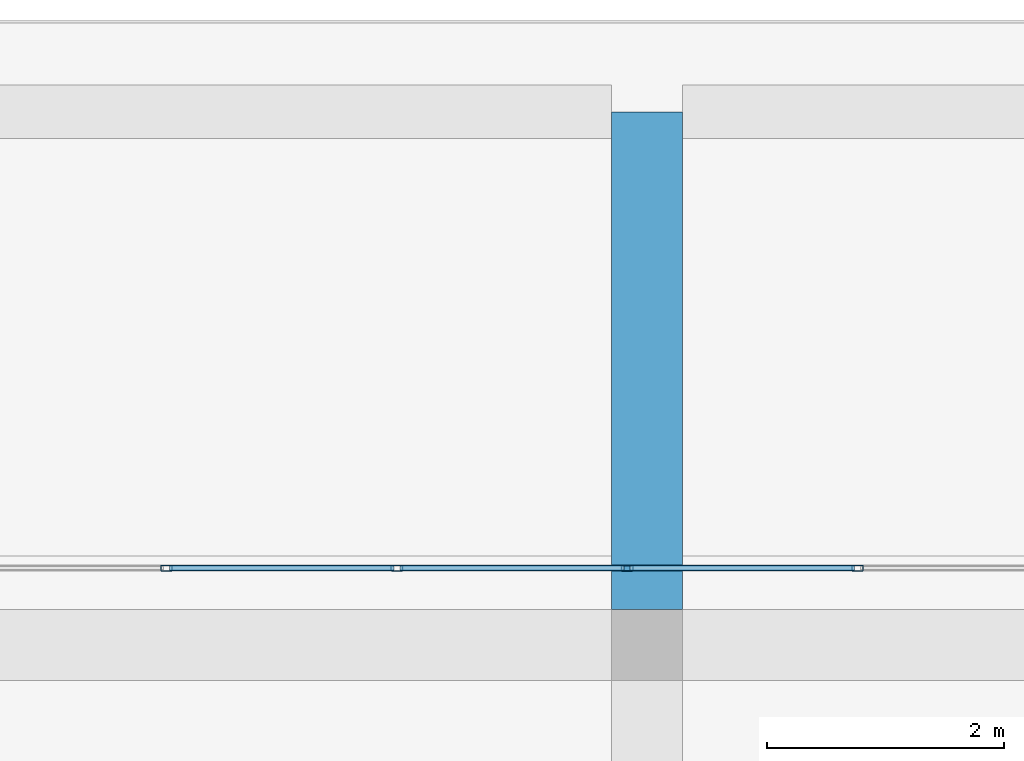
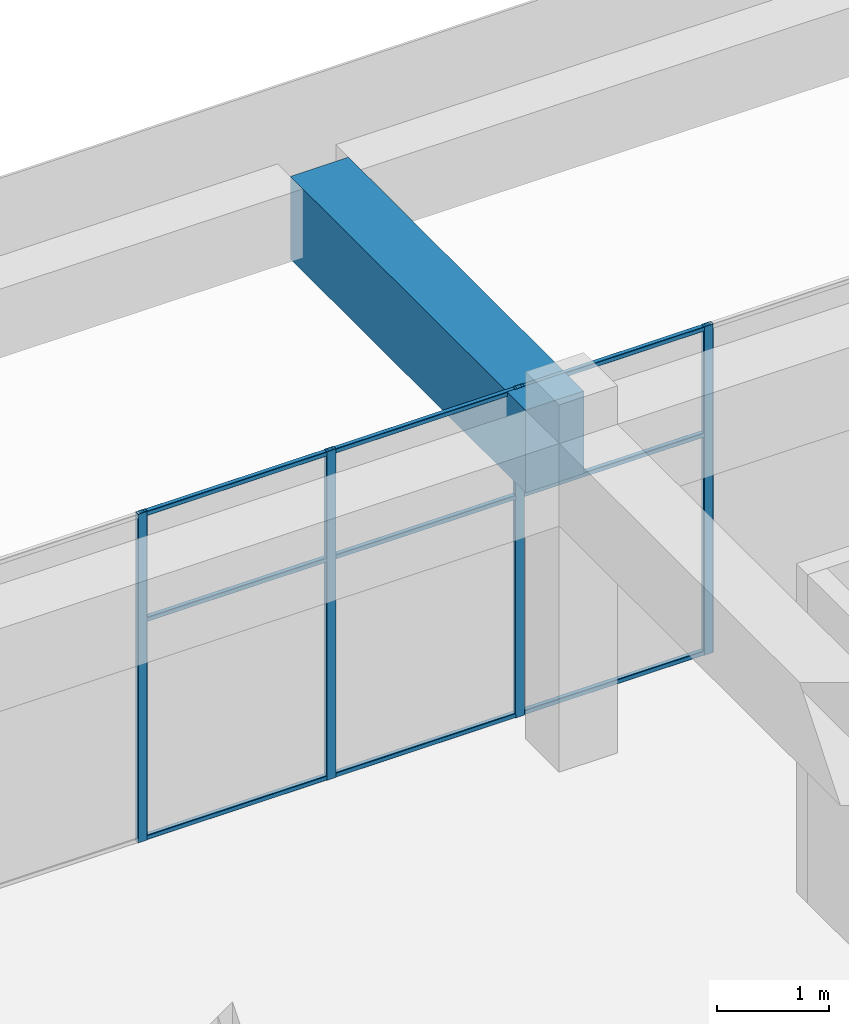
# One storey, part 26 of 35: 13 members, 1 beam, 1 element without a shape of its own.
"""IFC4 building model written with IfcOpenShell, lengths in metres."""

from ifc_helpers import new_model, si_unit, direction, frame, origin, origin_2d, place, context, subcontext, project, spatial, rectangle, hollow_rectangle, extrude, material, layer, layer_set, material_profile, profile_set, type_object, element, aggregate, save


model = new_model("IFC4")

# Units and contexts
model_context = context("Model", 3, precision=1e-05, world=origin(), true_north=direction((0.0, 1.0)))
body_context = subcontext(model_context, "Body", "Model", "MODEL_VIEW")
ifc_project = project(units=[si_unit("LENGTHUNIT", "METRE"), si_unit("AREAUNIT", "SQUARE_METRE"), si_unit("VOLUMEUNIT", "CUBIC_METRE"), si_unit("PLANEANGLEUNIT", "RADIAN"), si_unit("MASSUNIT", "GRAM", prefix="KILO")], contexts=[model_context])

# Site, building, storey
site_placement = place(None, origin())
site = spatial("IfcSite", under=ifc_project, at=site_placement, CompositionType="ELEMENT")
building_placement = place(site_placement, origin())
building = spatial("IfcBuilding", under=site, at=building_placement, Name="Tuart Plaza Theatre", CompositionType="ELEMENT")
storey_placement = place(building_placement, frame((0.0, 0.0, 49.5)))
storey = spatial("IfcBuildingStorey", under=building, at=storey_placement, Name="L12", CompositionType="ELEMENT", Elevation=49.5)

# Beam
ifc_material_1 = material(Name="Concrete N40 (40 MPa)", Category="concrete")
ifc_material_profile_1 = material_profile(ifc_material_1, rectangle(XDim=0.60009765625, YDim=0.89990234375, at=origin_2d()), Name="BEAM 600x900 Concrete N40 (40 MPa)")
ifc_profile_set_1 = profile_set([ifc_material_profile_1], Name="Concrete N40 (40 MPa)")
beam_type = type_object("IfcBeamType", Name="BEAM 600x900 Concrete N40 (40 MPa)", PredefinedType="BEAM", material=ifc_profile_set_1)
beam_placement = place(storey_placement, frame((132.0, 92.300048828125, 3.1298828125), z_axis=(0.0, 1.0, 0.0), x_axis=(-1.0, 0.0, 0.0)))
element("IfcBeam", 1, at=beam_placement, inside=storey, type_object=beam_type, Name="RB315", PredefinedType="BEAM", context=body_context, shape_type="SweptSolid", body=[
    extrude(rectangle(XDim=0.60009765625, YDim=0.89990234375, at=origin_2d()), origin(), (0.0, 0.0, 1.0), 4.199951171875),
])

# Curtain wall, members
ifc_material_2 = material(Name="Aluminium and glass", Category="aluminium")
ifc_layer = layer(ifc_material_2, 0.10009765625)
ifc_layer_set = layer_set([ifc_layer], Name="CURTAIN WALL 2000 module")
curtain_wall_type = type_object("IfcCurtainWallType", Name="CURTAIN WALL 2000 module", PredefinedType="NOTDEFINED", material=ifc_layer_set)
curtain_wall_placement = place(storey_placement, origin())
curtain_wall = element("IfcCurtainWall", 2, at=curtain_wall_placement, inside=storey, type_object=curtain_wall_type, Name="CW105", PredefinedType="NOTDEFINED")
ifc_material_3 = material(Name="Aluminium 6063-T5", Category="aluminium")
ifc_material_profile_2 = material_profile(ifc_material_3, hollow_rectangle(XDim=0.050048828125, YDim=0.10009765625, WallThickness=0.00390625, InnerFilletRadius=0.00390625, OuterFilletRadius=0.008056640625, at=origin_2d()), Name="RHS 100x50x4")
ifc_profile_set_2 = profile_set([ifc_material_profile_2], Name="Aluminium 6063-T5")
member_type_1 = type_object("IfcMemberType", Name="MULLION RHS 100x50x4", PredefinedType="MULLION", material=ifc_profile_set_2)
member_1_placement = place(storey_placement, frame((133.77490234375, 92.64990234375, 0.0), z_axis=(0.0, 0.0, 1.0), x_axis=(0.0, -1.0, 0.0)))
member_1 = element("IfcMember", 3, at=member_1_placement, type_object=member_type_1, Name="CW105 mullion 5", PredefinedType="MULLION", context=body_context, shape_type="SweptSolid", body=[
    extrude(hollow_rectangle(XDim=0.050048828125, YDim=0.10009765625, WallThickness=0.00390625, InnerFilletRadius=0.00390625, OuterFilletRadius=0.008056640625, at=origin_2d()), origin(), (0.0, 0.0, 1.0), 3.580078125),
])
member_2_placement = place(storey_placement, frame((131.831298828125, 92.64990234375, 0.0), z_axis=(0.0, 0.0, 1.0), x_axis=(0.0, -1.0, 0.0)))
member_2 = element("IfcMember", 4, at=member_2_placement, type_object=member_type_1, Name="CW105 mullion 6", PredefinedType="MULLION", context=body_context, shape_type="SweptSolid", body=[
    extrude(hollow_rectangle(XDim=0.050048828125, YDim=0.10009765625, WallThickness=0.00390625, InnerFilletRadius=0.00390625, OuterFilletRadius=0.008056640625, at=origin_2d()), origin(), (0.0, 0.0, 1.0), 3.580078125),
])
member_3_placement = place(storey_placement, frame((129.887451171875, 92.64990234375, 0.0), z_axis=(0.0, 0.0, 1.0), x_axis=(0.0, -1.0, 0.0)))
member_3 = element("IfcMember", 5, at=member_3_placement, type_object=member_type_1, Name="CW105 mullion 7", PredefinedType="MULLION", context=body_context, shape_type="SweptSolid", body=[
    extrude(hollow_rectangle(XDim=0.050048828125, YDim=0.10009765625, WallThickness=0.00390625, InnerFilletRadius=0.00390625, OuterFilletRadius=0.008056640625, at=origin_2d()), origin(), (0.0, 0.0, 1.0), 3.580078125),
])
member_4_placement = place(storey_placement, frame((127.94384765625, 92.64990234375, 0.0), z_axis=(0.0, 0.0, 1.0), x_axis=(0.0, -1.0, 0.0)))
member_4 = element("IfcMember", 6, at=member_4_placement, type_object=member_type_1, Name="CW105 mullion 8", PredefinedType="MULLION", context=body_context, shape_type="SweptSolid", body=[
    extrude(hollow_rectangle(XDim=0.050048828125, YDim=0.10009765625, WallThickness=0.00390625, InnerFilletRadius=0.00390625, OuterFilletRadius=0.008056640625, at=origin_2d()), origin(), (0.0, 0.0, 1.0), 3.580078125),
])
ifc_material_4 = material(Name="Aluminium 6063-T5", Category="aluminium")
ifc_material_profile_3 = material_profile(ifc_material_4, hollow_rectangle(XDim=0.050048828125, YDim=0.050048828125, WallThickness=0.00390625, InnerFilletRadius=0.00390625, OuterFilletRadius=0.008056640625, at=origin_2d()), Name="RHS 50x50x4")
ifc_profile_set_3 = profile_set([ifc_material_profile_3], Name="Aluminium 6063-T5")
member_type_2 = type_object("IfcMemberType", Name="TRANSOM RHS 50x50x4", PredefinedType="USERDEFINED", material=ifc_profile_set_3)
member_5_placement = place(storey_placement, frame((133.75, 92.64990234375, 0.02490234375), z_axis=(-1.0, 0.0, 0.0), x_axis=(0.0, -1.0, 0.0)))
member_5 = element("IfcMember", 7, at=member_5_placement, type_object=member_type_2, Name="CW105 transom 5.1", ObjectType="TRANSOM", PredefinedType="USERDEFINED", context=body_context, shape_type="SweptSolid", body=[
    extrude(hollow_rectangle(XDim=0.050048828125, YDim=0.050048828125, WallThickness=0.00390625, InnerFilletRadius=0.00390625, OuterFilletRadius=0.008056640625, at=origin_2d()), origin(), (0.0, 0.0, 1.0), 1.893798828125),
])
member_6_placement = place(storey_placement, frame((133.75, 92.64990234375, 2.39990234375), z_axis=(-1.0, 0.0, 0.0), x_axis=(0.0, -1.0, 0.0)))
member_6 = element("IfcMember", 8, at=member_6_placement, type_object=member_type_2, Name="CW105 transom 5.2", ObjectType="TRANSOM", PredefinedType="USERDEFINED", context=body_context, shape_type="SweptSolid", body=[
    extrude(hollow_rectangle(XDim=0.050048828125, YDim=0.050048828125, WallThickness=0.00390625, InnerFilletRadius=0.00390625, OuterFilletRadius=0.008056640625, at=origin_2d()), origin(), (0.0, 0.0, 1.0), 1.893798828125),
])
member_7_placement = place(storey_placement, frame((133.75, 92.64990234375, 3.554931640625), z_axis=(-1.0, 0.0, 0.0), x_axis=(0.0, -1.0, 0.0)))
member_7 = element("IfcMember", 9, at=member_7_placement, type_object=member_type_2, Name="CW105 transom 5.3", ObjectType="TRANSOM", PredefinedType="USERDEFINED", context=body_context, shape_type="SweptSolid", body=[
    extrude(hollow_rectangle(XDim=0.050048828125, YDim=0.050048828125, WallThickness=0.00390625, InnerFilletRadius=0.00390625, OuterFilletRadius=0.008056640625, at=origin_2d()), origin(), (0.0, 0.0, 1.0), 1.893798828125),
])
member_8_placement = place(storey_placement, frame((131.80615234375, 92.64990234375, 0.02490234375), z_axis=(-1.0, 0.0, 0.0), x_axis=(0.0, -1.0, 0.0)))
member_8 = element("IfcMember", 10, at=member_8_placement, type_object=member_type_2, Name="CW105 transom 6.1", ObjectType="TRANSOM", PredefinedType="USERDEFINED", context=body_context, shape_type="SweptSolid", body=[
    extrude(hollow_rectangle(XDim=0.050048828125, YDim=0.050048828125, WallThickness=0.00390625, InnerFilletRadius=0.00390625, OuterFilletRadius=0.008056640625, at=origin_2d()), origin(), (0.0, 0.0, 1.0), 1.8935546875),
])
member_9_placement = place(storey_placement, frame((131.80615234375, 92.64990234375, 2.39990234375), z_axis=(-1.0, 0.0, 0.0), x_axis=(0.0, -1.0, 0.0)))
member_9 = element("IfcMember", 11, at=member_9_placement, type_object=member_type_2, Name="CW105 transom 6.2", ObjectType="TRANSOM", PredefinedType="USERDEFINED", context=body_context, shape_type="SweptSolid", body=[
    extrude(hollow_rectangle(XDim=0.050048828125, YDim=0.050048828125, WallThickness=0.00390625, InnerFilletRadius=0.00390625, OuterFilletRadius=0.008056640625, at=origin_2d()), origin(), (0.0, 0.0, 1.0), 1.8935546875),
])
member_10_placement = place(storey_placement, frame((131.80615234375, 92.64990234375, 3.554931640625), z_axis=(-1.0, 0.0, 0.0), x_axis=(0.0, -1.0, 0.0)))
member_10 = element("IfcMember", 12, at=member_10_placement, type_object=member_type_2, Name="CW105 transom 6.3", ObjectType="TRANSOM", PredefinedType="USERDEFINED", context=body_context, shape_type="SweptSolid", body=[
    extrude(hollow_rectangle(XDim=0.050048828125, YDim=0.050048828125, WallThickness=0.00390625, InnerFilletRadius=0.00390625, OuterFilletRadius=0.008056640625, at=origin_2d()), origin(), (0.0, 0.0, 1.0), 1.8935546875),
])
member_11_placement = place(storey_placement, frame((129.862548828125, 92.64990234375, 0.02490234375), z_axis=(-1.0, 0.0, 0.0), x_axis=(0.0, -1.0, 0.0)))
member_11 = element("IfcMember", 13, at=member_11_placement, type_object=member_type_2, Name="CW105 transom 7.1", ObjectType="TRANSOM", PredefinedType="USERDEFINED", context=body_context, shape_type="SweptSolid", body=[
    extrude(hollow_rectangle(XDim=0.050048828125, YDim=0.050048828125, WallThickness=0.00390625, InnerFilletRadius=0.00390625, OuterFilletRadius=0.008056640625, at=origin_2d()), origin(), (0.0, 0.0, 1.0), 1.893798828125),
])
member_12_placement = place(storey_placement, frame((129.862548828125, 92.64990234375, 2.39990234375), z_axis=(-1.0, 0.0, 0.0), x_axis=(0.0, -1.0, 0.0)))
member_12 = element("IfcMember", 14, at=member_12_placement, type_object=member_type_2, Name="CW105 transom 7.2", ObjectType="TRANSOM", PredefinedType="USERDEFINED", context=body_context, shape_type="SweptSolid", body=[
    extrude(hollow_rectangle(XDim=0.050048828125, YDim=0.050048828125, WallThickness=0.00390625, InnerFilletRadius=0.00390625, OuterFilletRadius=0.008056640625, at=origin_2d()), origin(), (0.0, 0.0, 1.0), 1.893798828125),
])
member_13_placement = place(storey_placement, frame((129.862548828125, 92.64990234375, 3.554931640625), z_axis=(-1.0, 0.0, 0.0), x_axis=(0.0, -1.0, 0.0)))
member_13 = element("IfcMember", 15, at=member_13_placement, type_object=member_type_2, Name="CW105 transom 7.3", ObjectType="TRANSOM", PredefinedType="USERDEFINED", context=body_context, shape_type="SweptSolid", body=[
    extrude(hollow_rectangle(XDim=0.050048828125, YDim=0.050048828125, WallThickness=0.00390625, InnerFilletRadius=0.00390625, OuterFilletRadius=0.008056640625, at=origin_2d()), origin(), (0.0, 0.0, 1.0), 1.893798828125),
])
aggregate(curtain_wall, [member_1, member_2, member_3, member_4, member_5, member_6, member_7, member_8, member_9, member_10, member_11, member_12, member_13])

save(model, "model.ifc")
